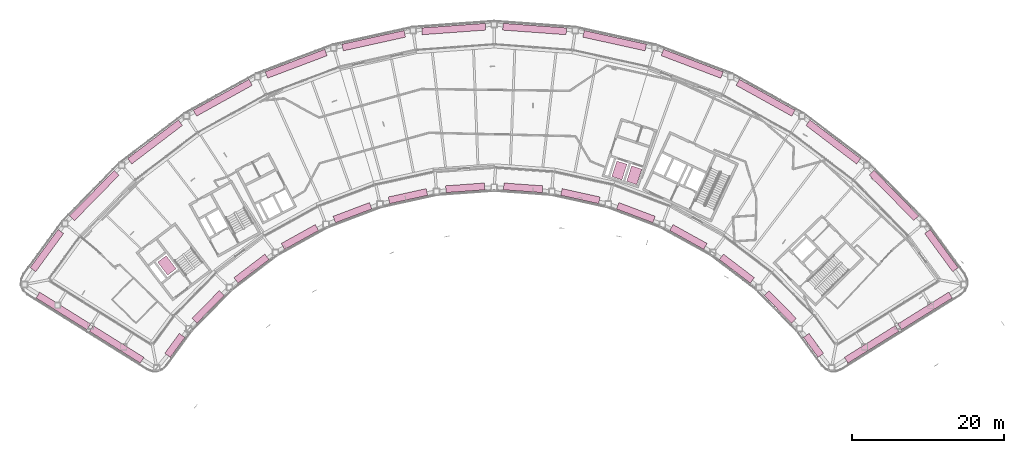
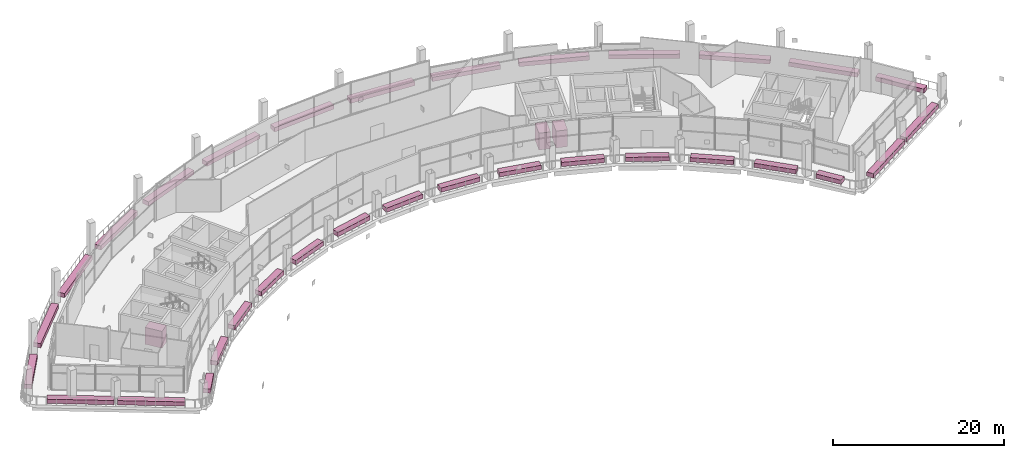
# One storey, part 29 of 29: 32 furnishings, 3 transport elements.
"""IFC4 building model written with IfcOpenShell, lengths in metres."""

from ifc_helpers import new_model, si_unit, direction, frame, origin, origin_2d, place, context, subcontext, project, spatial, rectangle, extrude, material, type_object, element, save


model = new_model("IFC4")

# Units and contexts
model_context = context("Model", 3, precision=1e-05, world=origin(), true_north=direction((0.0, 1.0)))
body_context = subcontext(model_context, "Body", "Model", "MODEL_VIEW")
ifc_project = project(units=[si_unit("LENGTHUNIT", "METRE"), si_unit("AREAUNIT", "SQUARE_METRE"), si_unit("VOLUMEUNIT", "CUBIC_METRE"), si_unit("PLANEANGLEUNIT", "RADIAN"), si_unit("MASSUNIT", "GRAM", prefix="KILO")], contexts=[model_context])

# Site, building, storey
site_placement = place(None, origin())
site = spatial("IfcSite", under=ifc_project, at=site_placement, CompositionType="ELEMENT")
building_placement = place(site_placement, origin())
building = spatial("IfcBuilding", under=site, at=building_placement, Name="Tuul Gate Civic Tower", CompositionType="ELEMENT")
storey_placement = place(building_placement, frame((0.0, 0.0, 238.89990234375)))
storey = spatial("IfcBuildingStorey", under=building, at=storey_placement, Name="Sky garden level 2", CompositionType="ELEMENT", Elevation=238.89990234375)

# Transport elements
ifc_material_1 = material(Name="Stainless steel", Category="steel")
transport_element_type = type_object("IfcTransportElementType", Name="Lift car", PredefinedType="ELEVATOR", material=ifc_material_1)
for number, where, z_axis, x_axis, name in (
    (1, (-37.030517578125, -13.056884765625, 0.000244140625), (0.0, 0.0, 1.0), (-0.795622585315, -0.605792622716, 0.0), "High-rise lift H1"),
    (2, (24.33056640625, -1.217041015625, 0.000244140625), (0.0, 0.0, 1.0), (-0.951055976957, 0.309018654281, 0.0), "High-rise lift H2"),
    (3, (22.381103515625, -0.58349609375, 0.000244140625), (0.0, 0.0, 1.0), (-0.951055976957, 0.309018654281, 0.0), "High-rise lift H3"),
):
    element("IfcTransportElement", number, at=place(storey_placement, frame(where, z_axis=z_axis, x_axis=x_axis)), inside=storey, type_object=transport_element_type, Name=name, PredefinedType="ELEVATOR", context=body_context, shape_type="SweptSolid", body=[
        extrude(rectangle(XDim=1.39990234375, YDim=2.14990234375, at=origin_2d()), origin(), (0.0, 0.0, 1.0), 2.39990234375),
    ])

# Furnishings
ifc_material_2 = material(Name="Planting soil")
furnishing_element_type = type_object("IfcFurnishingElementType", Name="Planter", material=ifc_material_2)
for number, where, z_axis, x_axis, name in (
    (4, (55.49853515625, -23.422119140625, 0.0), (0.0, 0.0, 1.0), (0.848028590009, 0.529950479316, 0.0), "Planter"),
    (5, (62.515625, -19.037109375, 0.0), (0.0, 0.0, 1.0), (0.848028590009, 0.529950479316, 0.0), "Planter"),
):
    element("IfcFurnishingElement", number, at=place(storey_placement, frame(where, z_axis=z_axis, x_axis=x_axis)), inside=storey, type_object=furnishing_element_type, Name=name, context=body_context, shape_type="SweptSolid", body=[
        extrude(rectangle(XDim=7.87451171875, YDim=0.89990234375, at=origin_2d()), origin(), (0.0, 0.0, 1.0), 0.60009765625),
    ])
furnishing_1_placement = place(storey_placement, frame((64.664794921875, -11.111328125, 0.0), z_axis=(0.0, 0.0, 1.0), x_axis=(-0.58971676251, 0.807610141105, 0.0)))
element("IfcFurnishingElement", 6, at=furnishing_1_placement, inside=storey, type_object=furnishing_element_type, Name="Planter", context=body_context, shape_type="SweptSolid", body=[
    extrude(rectangle(XDim=6.21435546875, YDim=0.89990234375, at=origin_2d()), origin(), (0.0, 0.0, 1.0), 0.60009765625),
])
furnishing_2_placement = place(storey_placement, frame((58.431640625, -3.87744140625, 0.0), z_axis=(0.0, 0.0, 1.0), x_axis=(-0.70005840803, 0.71408558685, 0.0)))
element("IfcFurnishingElement", 7, at=furnishing_2_placement, inside=storey, type_object=furnishing_element_type, Name="Planter", context=body_context, shape_type="SweptSolid", body=[
    extrude(rectangle(XDim=8.36474609375, YDim=0.89990234375, at=origin_2d()), origin(), (0.0, 0.0, 1.0), 0.60009765625),
])
furnishing_3_placement = place(storey_placement, frame((50.468505859375, 3.1494140625, 0.0), z_axis=(0.0, 0.0, 1.0), x_axis=(-0.79565346998, 0.605752057949, 0.0)))
element("IfcFurnishingElement", 8, at=furnishing_3_placement, inside=storey, type_object=furnishing_element_type, Name="Planter", context=body_context, shape_type="SweptSolid", body=[
    extrude(rectangle(XDim=8.363525390625, YDim=0.89990234375, at=origin_2d()), origin(), (0.0, 0.0, 1.0), 0.60009765625),
])
furnishing_4_placement = place(storey_placement, frame((41.57568359375, 8.955810546875, 0.0), z_axis=(0.0, 0.0, 1.0), x_axis=(-0.874612605796, 0.484822431188, 0.0)))
element("IfcFurnishingElement", 9, at=furnishing_4_placement, inside=storey, type_object=furnishing_element_type, Name="Planter", context=body_context, shape_type="SweptSolid", body=[
    extrude(rectangle(XDim=8.36474609375, YDim=0.89990234375, at=origin_2d()), origin(), (0.0, 0.0, 1.0), 0.60009765625),
])
for number, where, z_axis, x_axis, name in (
    (10, (31.93896484375, 13.420654296875, 0.0), (0.0, 0.0, 1.0), (-0.935332789185, 0.353769096271, 0.0), "Planter"),
    (11, (21.759765625, 16.44970703125, 0.0), (0.0, 0.0, 1.0), (-0.976578918963, 0.215159510682, 0.0), "Planter"),
):
    element("IfcFurnishingElement", number, at=place(storey_placement, frame(where, z_axis=z_axis, x_axis=x_axis)), inside=storey, type_object=furnishing_element_type, Name=name, context=body_context, shape_type="SweptSolid", body=[
        extrude(rectangle(XDim=8.364013671875, YDim=0.89990234375, at=origin_2d()), origin(), (0.0, 0.0, 1.0), 0.60009765625),
    ])
for number, where, z_axis, x_axis, name in (
    (12, (11.250244140625, 17.97998046875, 0.0), (0.0, 0.0, 1.0), (-0.997384601869, 0.0722769393, 0.0), "Planter"),
    (13, (0.6298828125, 17.97998046875, 0.0), (0.0, 0.0, 1.0), (-0.997384601869, -0.0722769393, 0.0), "Planter"),
):
    element("IfcFurnishingElement", number, at=place(storey_placement, frame(where, z_axis=z_axis, x_axis=x_axis)), inside=storey, type_object=furnishing_element_type, Name=name, context=body_context, shape_type="SweptSolid", body=[
        extrude(rectangle(XDim=8.3642578125, YDim=0.89990234375, at=origin_2d()), origin(), (0.0, 0.0, 1.0), 0.60009765625),
    ])
furnishing_5_placement = place(storey_placement, frame((-9.8798828125, 16.44970703125, 0.0), z_axis=(0.0, 0.0, 1.0), x_axis=(-0.976578918963, -0.215159510682, 0.0)))
element("IfcFurnishingElement", 14, at=furnishing_5_placement, inside=storey, type_object=furnishing_element_type, Name="Planter", context=body_context, shape_type="SweptSolid", body=[
    extrude(rectangle(XDim=8.364013671875, YDim=0.89990234375, at=origin_2d()), origin(), (0.0, 0.0, 1.0), 0.60009765625),
])
furnishing_6_placement = place(storey_placement, frame((-20.0595703125, 13.420654296875, 0.0), z_axis=(0.0, 0.0, 1.0), x_axis=(-0.935344414536, -0.353738358389, 0.0)))
element("IfcFurnishingElement", 15, at=furnishing_6_placement, inside=storey, type_object=furnishing_element_type, Name="Planter", context=body_context, shape_type="SweptSolid", body=[
    extrude(rectangle(XDim=8.364990234375, YDim=0.89990234375, at=origin_2d()), origin(), (0.0, 0.0, 1.0), 0.60009765625),
])
furnishing_7_placement = place(storey_placement, frame((-29.696533203125, 8.955810546875, 0.0), z_axis=(0.0, 0.0, 1.0), x_axis=(-0.874612605796, -0.484822431188, 0.0)))
element("IfcFurnishingElement", 16, at=furnishing_7_placement, inside=storey, type_object=furnishing_element_type, Name="Planter", context=body_context, shape_type="SweptSolid", body=[
    extrude(rectangle(XDim=8.36474609375, YDim=0.89990234375, at=origin_2d()), origin(), (0.0, 0.0, 1.0), 0.60009765625),
])
furnishing_8_placement = place(storey_placement, frame((-38.58935546875, 3.1494140625, 0.0), z_axis=(0.0, 0.0, 1.0), x_axis=(-0.79565346998, -0.605752057949, 0.0)))
element("IfcFurnishingElement", 17, at=furnishing_8_placement, inside=storey, type_object=furnishing_element_type, Name="Planter", context=body_context, shape_type="SweptSolid", body=[
    extrude(rectangle(XDim=8.363525390625, YDim=0.89990234375, at=origin_2d()), origin(), (0.0, 0.0, 1.0), 0.60009765625),
])
furnishing_9_placement = place(storey_placement, frame((-46.55224609375, -3.87744140625, 0.0), z_axis=(0.0, 0.0, 1.0), x_axis=(-0.700011034438, -0.714132026775, 0.0)))
element("IfcFurnishingElement", 18, at=furnishing_9_placement, inside=storey, type_object=furnishing_element_type, Name="Planter", context=body_context, shape_type="SweptSolid", body=[
    extrude(rectangle(XDim=8.364013671875, YDim=0.89990234375, at=origin_2d()), origin(), (0.0, 0.0, 1.0), 0.60009765625),
])
furnishing_10_placement = place(storey_placement, frame((-52.785400390625, -11.111328125, 0.0), z_axis=(0.0, 0.0, 1.0), x_axis=(-0.589792469982, -0.807554854083, 0.0)))
element("IfcFurnishingElement", 19, at=furnishing_10_placement, inside=storey, type_object=furnishing_element_type, Name="Planter", context=body_context, shape_type="SweptSolid", body=[
    extrude(rectangle(XDim=6.21484375, YDim=0.89990234375, at=origin_2d()), origin(), (0.0, 0.0, 1.0), 0.60009765625),
])
for number, where, z_axis, x_axis, name in (
    (20, (-50.635498046875, -19.037109375, 0.0), (0.0, 0.0, 1.0), (0.848028590009, -0.529950479316, 0.0), "Planter"),
    (21, (-43.61865234375, -23.422119140625, 0.0), (0.0, 0.0, 1.0), (0.848028590009, -0.529950479316, 0.0), "Planter"),
):
    element("IfcFurnishingElement", number, at=place(storey_placement, frame(where, z_axis=z_axis, x_axis=x_axis)), inside=storey, type_object=furnishing_element_type, Name=name, context=body_context, shape_type="SweptSolid", body=[
        extrude(rectangle(XDim=7.87451171875, YDim=0.89990234375, at=origin_2d()), origin(), (0.0, 0.0, 1.0), 0.60009765625),
    ])
furnishing_11_placement = place(storey_placement, frame((-35.992919921875, -23.55517578125, 0.0), z_axis=(0.0, 0.0, 1.0), x_axis=(0.5899188691, 0.807462524133, 0.0)))
element("IfcFurnishingElement", 22, at=furnishing_11_placement, inside=storey, type_object=furnishing_element_type, Name="Planter", context=body_context, shape_type="SweptSolid", body=[
    extrude(rectangle(XDim=3.244873046875, YDim=0.89990234375, at=origin_2d()), origin(), (0.0, 0.0, 1.0), 0.60009765625),
])
furnishing_12_placement = place(storey_placement, frame((-31.626708984375, -18.508544921875, 0.0), z_axis=(0.0, 0.0, 1.0), x_axis=(0.700008788854, 0.714134227949, 0.0)))
element("IfcFurnishingElement", 23, at=furnishing_12_placement, inside=storey, type_object=furnishing_element_type, Name="Planter", context=body_context, shape_type="SweptSolid", body=[
    extrude(rectangle(XDim=5.104248046875, YDim=0.89990234375, at=origin_2d()), origin(), (0.0, 0.0, 1.0), 0.60009765625),
])
furnishing_13_placement = place(storey_placement, frame((-25.92822265625, -13.47900390625, 0.0), z_axis=(0.0, 0.0, 1.0), x_axis=(0.795581567855, 0.605846489541, 0.0)))
element("IfcFurnishingElement", 24, at=furnishing_13_placement, inside=storey, type_object=furnishing_element_type, Name="Planter", context=body_context, shape_type="SweptSolid", body=[
    extrude(rectangle(XDim=5.105224609375, YDim=0.89990234375, at=origin_2d()), origin(), (0.0, 0.0, 1.0), 0.60009765625),
])
furnishing_14_placement = place(storey_placement, frame((-19.563720703125, -9.3232421875, 0.0), z_axis=(0.0, 0.0, 1.0), x_axis=(0.874647086822, 0.484760222702, 0.0)))
element("IfcFurnishingElement", 25, at=furnishing_14_placement, inside=storey, type_object=furnishing_element_type, Name="Planter", context=body_context, shape_type="SweptSolid", body=[
    extrude(rectangle(XDim=5.104736328125, YDim=0.89990234375, at=origin_2d()), origin(), (0.0, 0.0, 1.0), 0.60009765625),
])
furnishing_15_placement = place(storey_placement, frame((-12.6669921875, -6.128173828125, 0.0), z_axis=(0.0, 0.0, 1.0), x_axis=(0.935339882985, 0.353750340351, 0.0)))
element("IfcFurnishingElement", 26, at=furnishing_15_placement, inside=storey, type_object=furnishing_element_type, Name="Planter", context=body_context, shape_type="SweptSolid", body=[
    extrude(rectangle(XDim=5.105224609375, YDim=0.89990234375, at=origin_2d()), origin(), (0.0, 0.0, 1.0), 0.60009765625),
])
furnishing_16_placement = place(storey_placement, frame((-5.381591796875, -3.960205078125, 0.0), z_axis=(0.0, 0.0, 1.0), x_axis=(0.976571151758, 0.21519476191, 0.0)))
element("IfcFurnishingElement", 27, at=furnishing_16_placement, inside=storey, type_object=furnishing_element_type, Name="Planter", context=body_context, shape_type="SweptSolid", body=[
    extrude(rectangle(XDim=5.104736328125, YDim=0.89990234375, at=origin_2d()), origin(), (0.0, 0.0, 1.0), 0.60009765625),
])
for number, where, z_axis, x_axis, name in (
    (28, (2.1396484375, -2.864990234375, 0.0), (0.0, 0.0, 1.0), (0.997388553299, 0.072222390908, 0.0), "Planter"),
    (29, (9.740234375, -2.864990234375, 0.0), (0.0, 0.0, 1.0), (0.997388553299, -0.072222390908, 0.0), "Planter"),
):
    element("IfcFurnishingElement", number, at=place(storey_placement, frame(where, z_axis=z_axis, x_axis=x_axis)), inside=storey, type_object=furnishing_element_type, Name=name, context=body_context, shape_type="SweptSolid", body=[
        extrude(rectangle(XDim=5.1044921875, YDim=0.89990234375, at=origin_2d()), origin(), (0.0, 0.0, 1.0), 0.60009765625),
    ])
furnishing_17_placement = place(storey_placement, frame((17.26171875, -3.960205078125, 0.0), z_axis=(0.0, 0.0, 1.0), x_axis=(0.976571151758, -0.21519476191, 0.0)))
element("IfcFurnishingElement", 30, at=furnishing_17_placement, inside=storey, type_object=furnishing_element_type, Name="Planter", context=body_context, shape_type="SweptSolid", body=[
    extrude(rectangle(XDim=5.104736328125, YDim=0.89990234375, at=origin_2d()), origin(), (0.0, 0.0, 1.0), 0.60009765625),
])
furnishing_18_placement = place(storey_placement, frame((24.546630859375, -6.128173828125, 0.0), z_axis=(0.0, 0.0, 1.0), x_axis=(0.935323206389, -0.353794431259, 0.0)))
element("IfcFurnishingElement", 31, at=furnishing_18_placement, inside=storey, type_object=furnishing_element_type, Name="Planter", context=body_context, shape_type="SweptSolid", body=[
    extrude(rectangle(XDim=5.104248046875, YDim=0.89990234375, at=origin_2d()), origin(), (0.0, 0.0, 1.0), 0.60009765625),
])
furnishing_19_placement = place(storey_placement, frame((31.44287109375, -9.3232421875, 0.0), z_axis=(0.0, 0.0, 1.0), x_axis=(0.874647086822, -0.484760222702, 0.0)))
element("IfcFurnishingElement", 32, at=furnishing_19_placement, inside=storey, type_object=furnishing_element_type, Name="Planter", context=body_context, shape_type="SweptSolid", body=[
    extrude(rectangle(XDim=5.104736328125, YDim=0.89990234375, at=origin_2d()), origin(), (0.0, 0.0, 1.0), 0.60009765625),
])
furnishing_20_placement = place(storey_placement, frame((37.80712890625, -13.47900390625, 0.0), z_axis=(0.0, 0.0, 1.0), x_axis=(0.795581567855, -0.605846489541, 0.0)))
element("IfcFurnishingElement", 33, at=furnishing_20_placement, inside=storey, type_object=furnishing_element_type, Name="Planter", context=body_context, shape_type="SweptSolid", body=[
    extrude(rectangle(XDim=5.105224609375, YDim=0.89990234375, at=origin_2d()), origin(), (0.0, 0.0, 1.0), 0.60009765625),
])
furnishing_21_placement = place(storey_placement, frame((43.50634765625, -18.508544921875, 0.0), z_axis=(0.0, 0.0, 1.0), x_axis=(0.700076739714, -0.714067614804, 0.0)))
element("IfcFurnishingElement", 34, at=furnishing_21_placement, inside=storey, type_object=furnishing_element_type, Name="Planter", context=body_context, shape_type="SweptSolid", body=[
    extrude(rectangle(XDim=5.10498046875, YDim=0.89990234375, at=origin_2d()), origin(), (0.0, 0.0, 1.0), 0.60009765625),
])
furnishing_22_placement = place(storey_placement, frame((47.87255859375, -23.55517578125, 0.0), z_axis=(0.0, 0.0, 1.0), x_axis=(0.589803348113, -0.807546909198, 0.0)))
element("IfcFurnishingElement", 35, at=furnishing_22_placement, inside=storey, type_object=furnishing_element_type, Name="Planter", context=body_context, shape_type="SweptSolid", body=[
    extrude(rectangle(XDim=3.244140625, YDim=0.89990234375, at=origin_2d()), origin(), (0.0, 0.0, 1.0), 0.60009765625),
])

save(model, "model.ifc")
